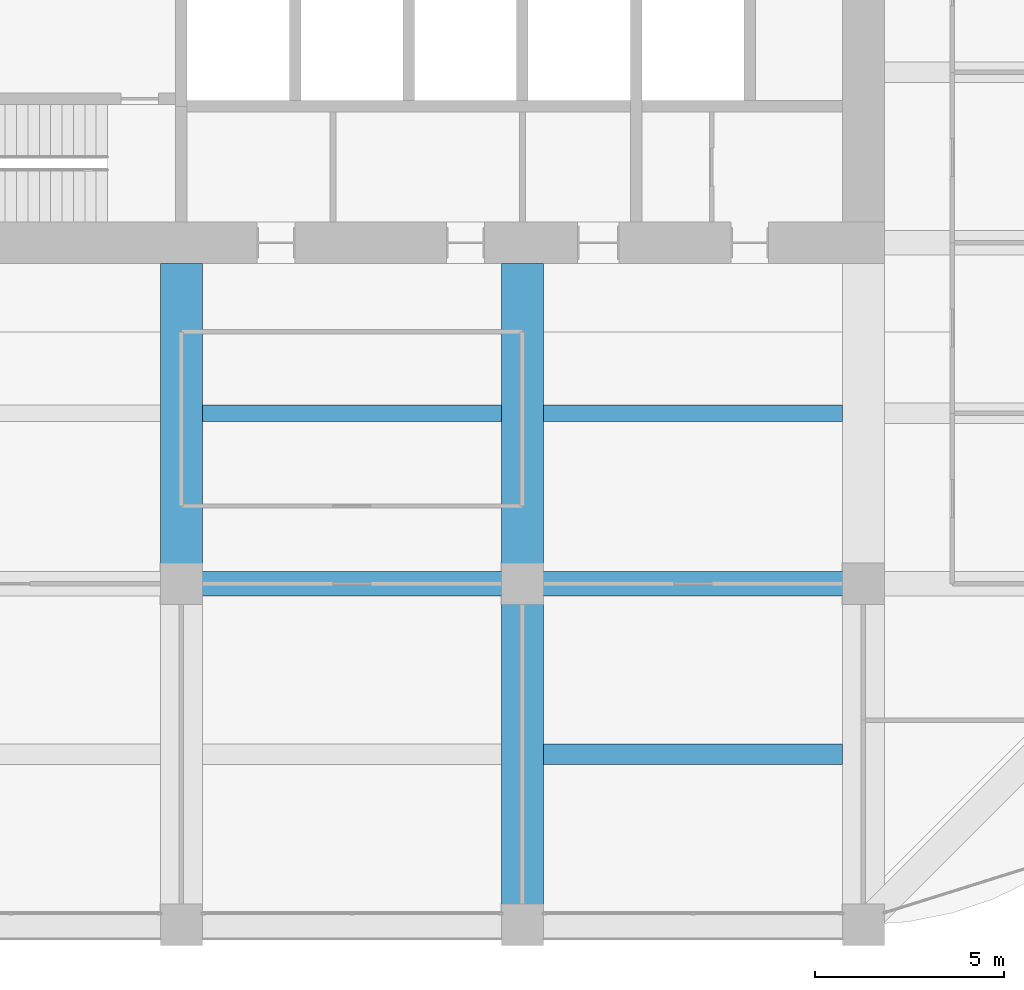
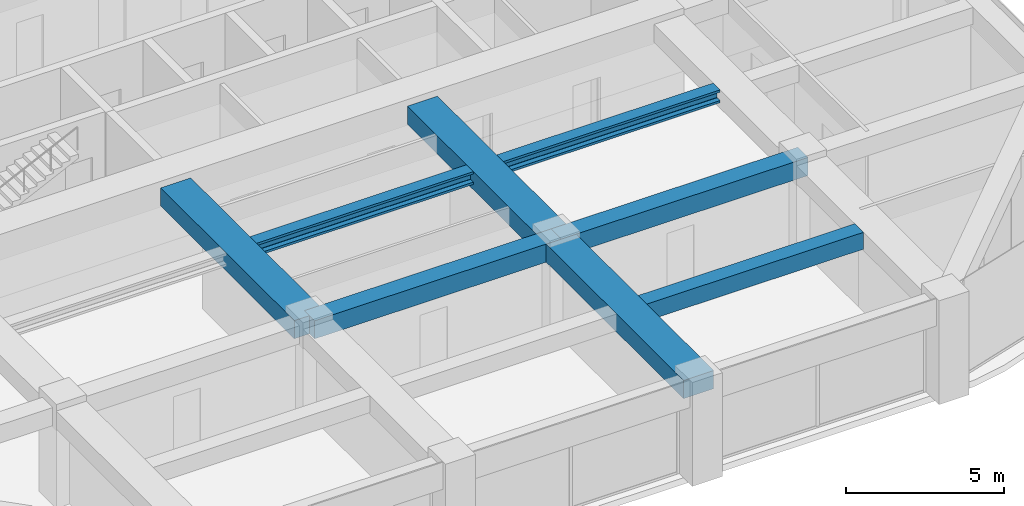
# One storey, part 12 of 45: 8 beams.
"""IFC4 building model written with IfcOpenShell, lengths in metres."""

from ifc_helpers import new_model, si_unit, direction, frame, origin, origin_2d, place, context, subcontext, project, spatial, rectangle, i_section, extrude, material, material_profile, profile_set, type_object, element, save


model = new_model("IFC4")

# Units and contexts
model_context = context("Model", 3, precision=1e-05, world=origin(), true_north=direction((0.0, 1.0)))
body_context = subcontext(model_context, "Body", "Model", "MODEL_VIEW")
ifc_project = project(units=[si_unit("LENGTHUNIT", "METRE"), si_unit("AREAUNIT", "SQUARE_METRE"), si_unit("VOLUMEUNIT", "CUBIC_METRE"), si_unit("PLANEANGLEUNIT", "RADIAN"), si_unit("MASSUNIT", "GRAM", prefix="KILO")], contexts=[model_context])

# Site, building, storey
site_placement = place(None, origin())
site = spatial("IfcSite", under=ifc_project, at=site_placement, CompositionType="ELEMENT")
building_placement = place(site_placement, origin())
building = spatial("IfcBuilding", under=site, at=building_placement, Name="Zorevar Civic Tower", CompositionType="ELEMENT")
storey_placement = place(building_placement, frame((0.0, 0.0, 291.39990234375)))
storey = spatial("IfcBuildingStorey", under=building, at=storey_placement, Name="L71", CompositionType="ELEMENT", Elevation=291.39990234375)

# Beams
ifc_material_1 = material(Name="Concrete C50/60", Category="concrete")
ifc_material_profile_1 = material_profile(ifc_material_1, rectangle(XDim=1.10009765625, YDim=0.699951171875, at=origin_2d()), Name="RC 1100x700")
ifc_profile_set_1 = profile_set([ifc_material_profile_1], Name="Concrete C50/60")
beam_type_1 = type_object("IfcBeamType", Name="Beam RC 1100x700", PredefinedType="BEAM", material=ifc_profile_set_1)
beam_1_placement = place(storey_placement, frame((27.0, 9.0, 3.400146484375), z_axis=(0.0, 1.0, 0.0), x_axis=(-1.0, 0.0, 0.0)))
element("IfcBeam", 1, at=beam_1_placement, inside=storey, type_object=beam_type_1, Name="Girder L72", PredefinedType="BEAM", context=body_context, shape_type="SweptSolid", body=[
    extrude(rectangle(XDim=1.10009765625, YDim=0.699951171875, at=origin_2d()), origin(), (0.0, 0.0, 1.0), 8.449951171875),
])
beam_2_placement = place(storey_placement, frame((36.0, 0.0, 3.400146484375), z_axis=(0.0, 1.0, 0.0), x_axis=(-1.0, 0.0, 0.0)))
element("IfcBeam", 2, at=beam_2_placement, inside=storey, type_object=beam_type_1, Name="Girder L72", PredefinedType="BEAM", context=body_context, shape_type="SweptSolid", body=[
    extrude(rectangle(XDim=1.10009765625, YDim=0.699951171875, at=origin_2d()), origin(), (0.0, 0.0, 1.0), 9.0),
])
beam_3_placement = place(storey_placement, frame((36.0, 9.0, 3.400146484375), z_axis=(0.0, 1.0, 0.0), x_axis=(-1.0, 0.0, 0.0)))
element("IfcBeam", 3, at=beam_3_placement, inside=storey, type_object=beam_type_1, Name="Girder L72", PredefinedType="BEAM", context=body_context, shape_type="SweptSolid", body=[
    extrude(rectangle(XDim=1.10009765625, YDim=0.699951171875, at=origin_2d()), origin(), (0.0, 0.0, 1.0), 8.449951171875),
])
ifc_material_2 = material(Name="Concrete C50/60", Category="concrete")
ifc_material_profile_2 = material_profile(ifc_material_2, rectangle(XDim=0.550048828125, YDim=0.64990234375, at=origin_2d()), Name="RC 550x650")
ifc_profile_set_2 = profile_set([ifc_material_profile_2], Name="Concrete C50/60")
beam_type_2 = type_object("IfcBeamType", Name="Beam RC 550x650", PredefinedType="BEAM", material=ifc_profile_set_2)
beam_4_placement = place(storey_placement, frame((36.550048828125, 4.5, 3.425048828125), z_axis=(1.0, 0.0, 0.0), x_axis=(0.0, 1.0, 0.0)))
element("IfcBeam", 4, at=beam_4_placement, inside=storey, type_object=beam_type_2, Name="Secondary beam L72", PredefinedType="BEAM", context=body_context, shape_type="SweptSolid", body=[
    extrude(rectangle(XDim=0.550048828125, YDim=0.64990234375, at=origin_2d()), origin(), (0.0, 0.0, 1.0), 7.89990234375),
])
ifc_material_3 = material(Name="Concrete C50/60", Category="concrete")
ifc_material_profile_3 = material_profile(ifc_material_3, rectangle(XDim=0.64990234375, YDim=0.699951171875, at=origin_2d()), Name="RC 650x700")
ifc_profile_set_3 = profile_set([ifc_material_profile_3], Name="Concrete C50/60")
beam_type_3 = type_object("IfcBeamType", Name="Beam RC 650x700", PredefinedType="BEAM", material=ifc_profile_set_3)
for number, where, z_axis, x_axis, name in (
    (5, (27.0, 9.0, 3.400146484375), (1.0, 0.0, 0.0), (0.0, 1.0, 0.0), "Girder L72"),
    (6, (36.0, 9.0, 3.400146484375), (1.0, 0.0, 0.0), (0.0, 1.0, 0.0), "Girder L72"),
):
    element("IfcBeam", number, at=place(storey_placement, frame(where, z_axis=z_axis, x_axis=x_axis)), inside=storey, type_object=beam_type_3, Name=name, PredefinedType="BEAM", context=body_context, shape_type="SweptSolid", body=[
        extrude(rectangle(XDim=0.64990234375, YDim=0.699951171875, at=origin_2d()), origin(), (0.0, 0.0, 1.0), 9.0),
    ])
ifc_material_4 = material(Name="Steel S460M (HISTAR 460)", Category="steel")
ifc_material_profile_4 = material_profile(ifc_material_4, i_section(OverallWidth=0.431884765625, OverallDepth=0.498046875, WebThickness=0.0556640625, FlangeThickness=0.0888671875, FilletRadius=0.014892578125, at=origin_2d()), Name="HD 400x744")
ifc_profile_set_4 = profile_set([ifc_material_profile_4], Name="Steel S460M (HISTAR 460)")
beam_type_4 = type_object("IfcBeamType", Name="Core bay beam HD 400x744", PredefinedType="BEAM", material=ifc_profile_set_4)
for number, where, z_axis, x_axis, name in (
    (7, (27.550048828125, 13.5, 3.5009765625), (1.0, 0.0, 0.0), (0.0, 1.0, 0.0), "Secondary beam L72"),
    (8, (36.550048828125, 13.5, 3.5009765625), (1.0, 0.0, 0.0), (0.0, 1.0, 0.0), "Secondary beam L72"),
):
    element("IfcBeam", number, at=place(storey_placement, frame(where, z_axis=z_axis, x_axis=x_axis)), inside=storey, type_object=beam_type_4, Name=name, PredefinedType="BEAM", context=body_context, shape_type="SweptSolid", body=[
        extrude(i_section(OverallWidth=0.431884765625, OverallDepth=0.498046875, WebThickness=0.0556640625, FlangeThickness=0.0888671875, FilletRadius=0.014892578125, at=origin_2d()), origin(), (0.0, 0.0, 1.0), 7.89990234375),
    ])

save(model, "model.ifc")
